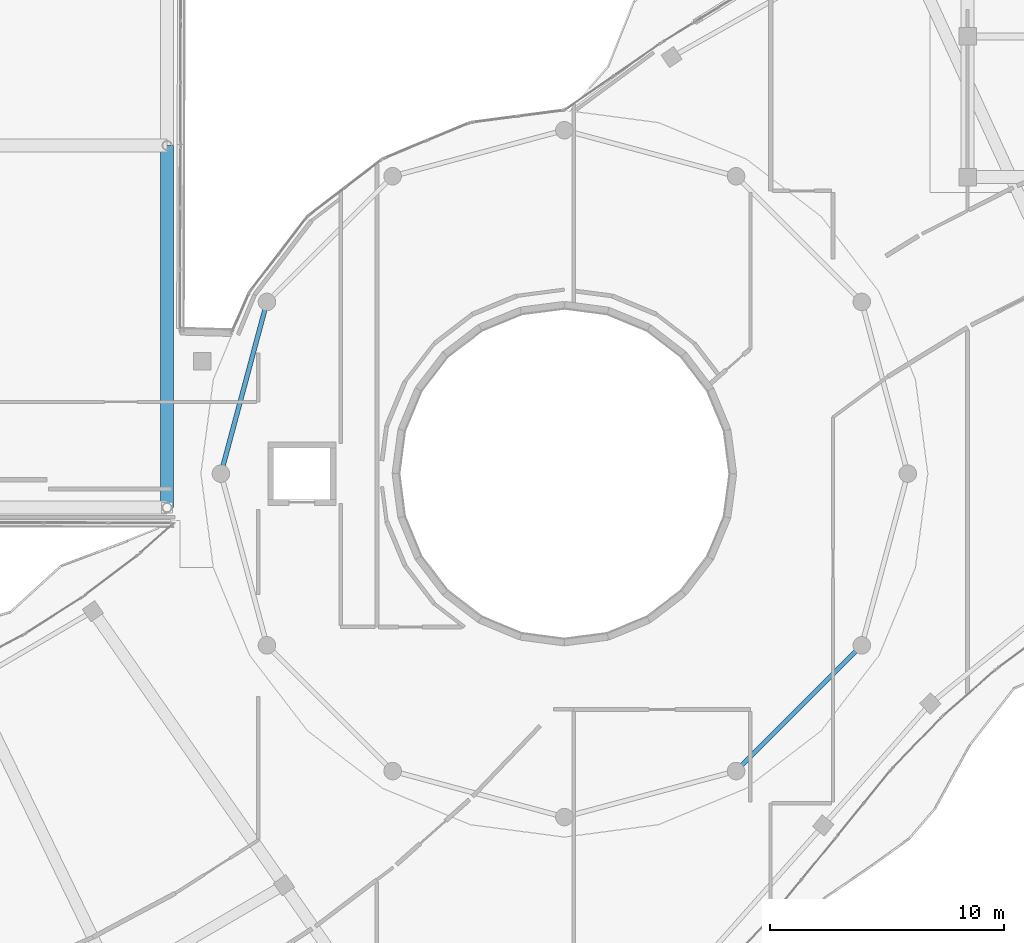
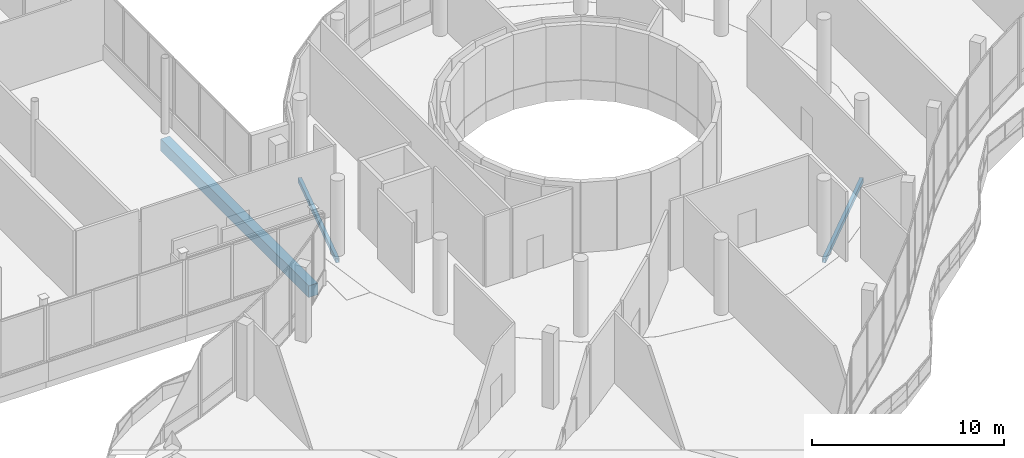
# One storey, part 47 of 155: 3 beams.
"""IFC4 building model written with IfcOpenShell, lengths in metres."""

from ifc_helpers import new_model, si_unit, direction, frame, origin, origin_2d, place, context, subcontext, project, spatial, rectangle, hollow_rectangle, extrude, material, material_profile, profile_set, type_object, element, save


model = new_model("IFC4")

# Units and contexts
model_context = context("Model", 3, precision=1e-05, world=origin(), true_north=direction((0.0, 1.0)))
body_context = subcontext(model_context, "Body", "Model", "MODEL_VIEW")
ifc_project = project(units=[si_unit("LENGTHUNIT", "METRE"), si_unit("AREAUNIT", "SQUARE_METRE"), si_unit("VOLUMEUNIT", "CUBIC_METRE"), si_unit("PLANEANGLEUNIT", "RADIAN"), si_unit("MASSUNIT", "GRAM", prefix="KILO")], contexts=[model_context])

# Site, building, storey
site_placement = place(None, origin())
site = spatial("IfcSite", under=ifc_project, at=site_placement, CompositionType="ELEMENT")
building_placement = place(site_placement, origin())
building = spatial("IfcBuilding", under=site, at=building_placement, Name="Selatvlak General Hospital", CompositionType="ELEMENT")
storey_placement = place(building_placement, frame((0.0, 0.0, 10.199951171875)))
storey = spatial("IfcBuildingStorey", under=building, at=storey_placement, Name="L02", CompositionType="ELEMENT", Elevation=10.199951171875)

# Beams
ifc_material_1 = material(Name="Concrete C40/50", Category="concrete")
ifc_material_profile_1 = material_profile(ifc_material_1, rectangle(XDim=0.550048828125, YDim=0.75, at=origin_2d()), Name="RC-BM 550x750")
ifc_profile_set_1 = profile_set([ifc_material_profile_1], Name="Concrete C40/50")
beam_type_1 = type_object("IfcBeamType", Name="BM-G02", PredefinedType="BEAM", material=ifc_profile_set_1)
beam_1_placement = place(storey_placement, frame((81.050048828125, 52.550048828125, -0.72998046875), z_axis=(0.0, 1.0, 0.0), x_axis=(-1.0, 0.0, 0.0)))
element("IfcBeam", 1, at=beam_1_placement, inside=storey, type_object=beam_type_1, Name="Beam BMR-L02-0983", PredefinedType="BEAM", context=body_context, shape_type="SweptSolid", body=[
    extrude(rectangle(XDim=0.550048828125, YDim=0.75, at=origin_2d()), origin(), (0.0, 0.0, 1.0), 15.449951171875),
])
ifc_material_2 = material(Name="Steel S355", Category="steel")
ifc_material_profile_2 = material_profile(ifc_material_2, hollow_rectangle(XDim=0.199951171875, YDim=0.300048828125, WallThickness=0.011962890625, at=origin_2d()), Name="RHS 300x200x12")
ifc_profile_set_2 = profile_set([ifc_material_profile_2], Name="Steel S355")
beam_type_2 = type_object("IfcBeamType", Name="BM-SP3", PredefinedType="SPANDREL", material=ifc_profile_set_2)
beam_2_placement = place(storey_placement, frame((105.324951171875, 41.31298828125, -0.5048828125), z_axis=(0.707106781187, 0.707106781187, 0.0), x_axis=(-0.707106781187, 0.707106781187, 0.0)))
element("IfcBeam", 2, at=beam_2_placement, inside=storey, type_object=beam_type_2, Name="Beam BMR-L02-1097", PredefinedType="SPANDREL", context=body_context, shape_type="SweptSolid", body=[
    extrude(hollow_rectangle(XDim=0.199951171875, YDim=0.300048828125, WallThickness=0.011962890625, at=origin_2d()), origin(), (0.0, 0.0, 1.0), 7.5830078125),
])
beam_3_placement = place(storey_placement, frame((85.31298828125, 61.324951171875, -0.5048828125), z_axis=(-0.25884068345, -0.965920028052, 0.0), x_axis=(0.965920028052, -0.25884068345, 0.0)))
element("IfcBeam", 3, at=beam_3_placement, inside=storey, type_object=beam_type_2, Name="Beam BMR-L02-1104", PredefinedType="SPANDREL", context=body_context, shape_type="SweptSolid", body=[
    extrude(hollow_rectangle(XDim=0.199951171875, YDim=0.300048828125, WallThickness=0.011962890625, at=origin_2d()), origin(), (0.0, 0.0, 1.0), 7.58349609375),
])

save(model, "model.ifc")
